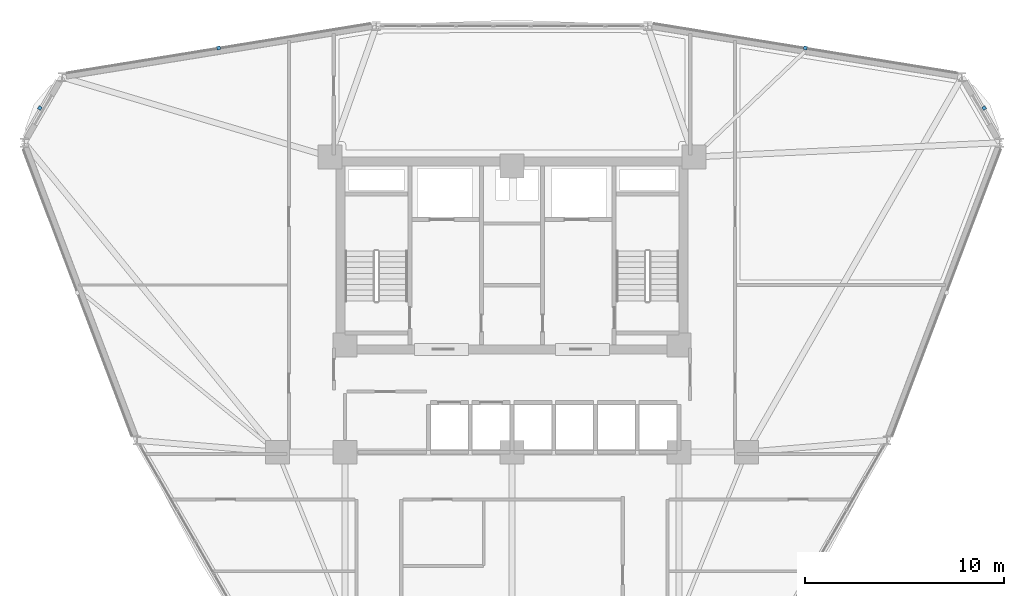
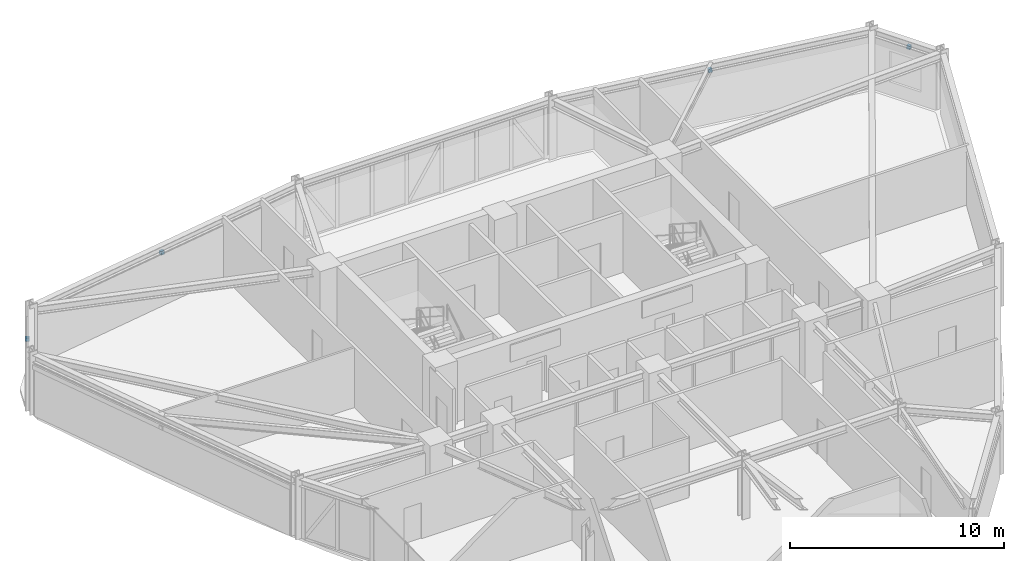
# One storey, part 13 of 17: 4 discrete accessories.
"""IFC4 building model written with IfcOpenShell, lengths in metres."""

from ifc_helpers import new_model, si_unit, derived_unit, direction, frame, origin, origin_2d, place, context, subcontext, project, spatial, rectangle, extrude, source, transform, mapped, material, type_object, element, save


model = new_model("IFC4")

# Units and contexts
model_context = context("Model", 3, precision=1e-05, world=origin(), true_north=direction((0.0, 1.0)))
body_context = subcontext(model_context, "Body", "Model", "MODEL_VIEW")
ifc_project = project(units=[si_unit("LENGTHUNIT", "METRE"), si_unit("AREAUNIT", "SQUARE_METRE"), si_unit("VOLUMEUNIT", "CUBIC_METRE"), si_unit("PLANEANGLEUNIT", "RADIAN"), si_unit("MASSUNIT", "GRAM", prefix="KILO"), derived_unit("THERMALTRANSMITTANCEUNIT", [(si_unit("POWERUNIT", "WATT"), 1), (si_unit("LENGTHUNIT", "METRE"), -2), (si_unit("THERMODYNAMICTEMPERATUREUNIT", "KELVIN"), -1)])], contexts=[model_context])

# Site, building, storey
site_placement = place(None, origin())
site = spatial("IfcSite", under=ifc_project, at=site_placement, CompositionType="ELEMENT")
building_placement = place(site_placement, origin())
building = spatial("IfcBuilding", under=site, at=building_placement, Name="Korsvarv Bourse and Concert Hall", CompositionType="ELEMENT")
storey_placement = place(building_placement, frame((0.0, 0.0, 120.60009765625)))
storey = spatial("IfcBuildingStorey", under=building, at=storey_placement, Name="L30", CompositionType="ELEMENT", Elevation=120.60009765625)

# Discrete accessories
ifc_material = material(Name="Stainless Steel S355 facade outrigger bracket", Category="steel")
discrete_accessory_type = type_object("IfcDiscreteAccessoryType", Name="ACC-BRK-1", PredefinedType="BRACKET", material=ifc_material)
shared_shape = source(origin(), body_context, "Body", "SweptSolid", [
    extrude(rectangle(XDim=0.179931640625, YDim=0.179931640625, at=origin_2d()), origin(), (0.0, 0.0, 1.0), 0.199951171875),
])
for number, where, z_axis, x_axis, name in (
    (1, (59.752197265625, 49.71337890625, 2.73974609375), (0.0, 0.0, 1.0), (-0.5, 0.866025403784, 0.0), "L30 terracotta sunshade bracket EW-L30-B01"),
    (2, (50.759033203125, 52.733642578125, 2.73974609375), (0.0, 0.0, 1.0), (-0.987024406397, 0.160570299793, 0.0), "L30 terracotta sunshade bracket EW-L30-B02"),
    (3, (21.240966796875, 52.733642578125, 2.68994140625), (0.0, 0.0, 1.0), (-0.987024406397, -0.160570299793, 0.0), "L30 terracotta sunshade bracket EW-L30-B04"),
    (4, (12.247802734375, 49.71337890625, 2.73974609375), (0.0, 0.0, 1.0), (-0.5, -0.866025403784, 0.0), "L30 terracotta sunshade bracket EW-L30-B05"),
):
    element("IfcDiscreteAccessory", number, at=place(storey_placement, frame(where, z_axis=z_axis, x_axis=x_axis)), inside=storey, type_object=discrete_accessory_type, Name=name, PredefinedType="BRACKET", context=body_context, shape_type="MappedRepresentation", body=[
        mapped(shared_shape, transform((0.0, 0.0, 0.0), scale=1.0)),
    ])

save(model, "model.ifc")
